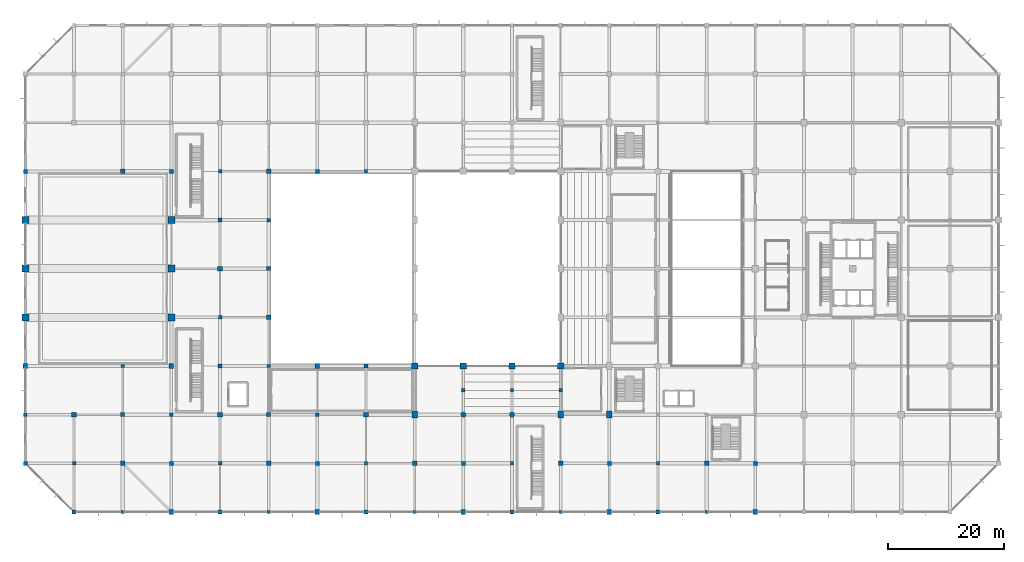
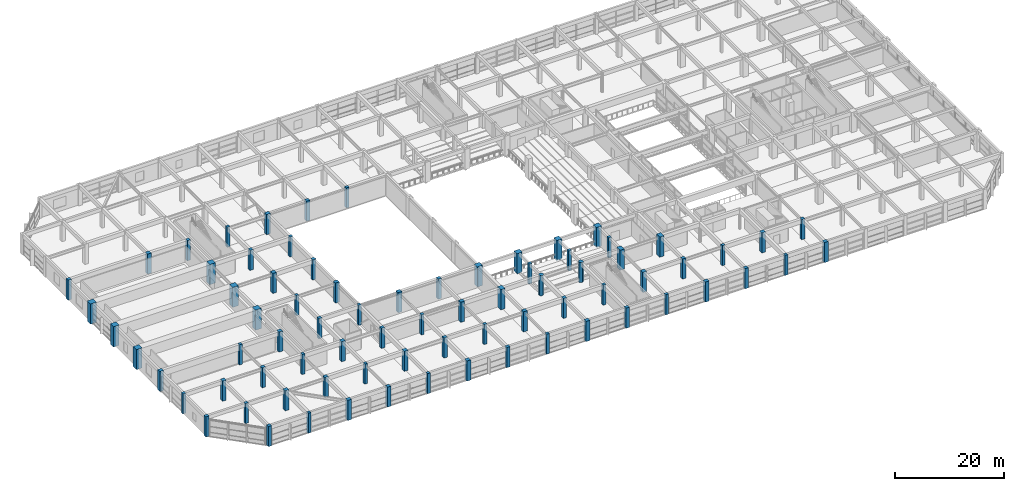
# One storey, part 1 of 62: 77 columns.
"""IFC4 building model written with IfcOpenShell, lengths in metres."""

from ifc_helpers import new_model, si_unit, direction, frame, origin, origin_2d, place, context, subcontext, project, spatial, rectangle, circle, extrude, material, material_profile, profile_set, type_object, element, save


model = new_model("IFC4")

# Units and contexts
model_context = context("Model", 3, precision=1e-05, world=origin(), true_north=direction((0.0, 1.0)))
body_context = subcontext(model_context, "Body", "Model", "MODEL_VIEW")
ifc_project = project(units=[si_unit("LENGTHUNIT", "METRE"), si_unit("AREAUNIT", "SQUARE_METRE"), si_unit("VOLUMEUNIT", "CUBIC_METRE"), si_unit("PLANEANGLEUNIT", "RADIAN"), si_unit("MASSUNIT", "GRAM", prefix="KILO")], contexts=[model_context])

# Site, building, storey
site_placement = place(None, origin())
site = spatial("IfcSite", under=ifc_project, at=site_placement, CompositionType="ELEMENT")
building_placement = place(site_placement, origin())
building = spatial("IfcBuilding", under=site, at=building_placement, Name="Xuanlan Plaza Opera House", CompositionType="ELEMENT")
storey_placement = place(building_placement, frame((0.0, 0.0, 14.39990234375)))
storey = spatial("IfcBuildingStorey", under=building, at=storey_placement, Name="L03", CompositionType="ELEMENT", Elevation=14.39990234375)

# Columns
ifc_material_1 = material(Name="Concrete C60", Category="concrete")
ifc_material_profile_1 = material_profile(ifc_material_1, rectangle(XDim=1.199951171875, YDim=1.199951171875, at=origin_2d()), Name="RC-COL 1200x1200")
ifc_profile_set_1 = profile_set([ifc_material_profile_1], Name="Concrete C60")
column_type_1 = type_object("IfcColumnType", Name="STR-COL-C-02", PredefinedType="COLUMN", material=ifc_profile_set_1)
for number, where, z_axis, x_axis, name in (
    (1, (0.0, 50.39990234375, 0.0), (0.0, 0.0, 1.0), (1.0, 0.0, 0.0), "Column L03 1-G"),
    (2, (0.0, 58.800048828125, 0.0), (0.0, 0.0, 1.0), (1.0, 0.0, 0.0), "Column L03 1-H"),
    (3, (0.0, 67.199951171875, 0.0), (0.0, 0.0, 1.0), (1.0, 0.0, 0.0), "Column L03 1-I"),
    (4, (25.199951171875, 50.39990234375, 0.0), (0.0, 0.0, 1.0), (1.0, 0.0, 0.0), "Column L03 4-G"),
    (5, (25.199951171875, 58.800048828125, 0.0), (0.0, 0.0, 1.0), (1.0, 0.0, 0.0), "Column L03 4-H"),
    (6, (25.199951171875, 67.199951171875, 0.0), (0.0, 0.0, 1.0), (1.0, 0.0, 0.0), "Column L03 4-I"),
):
    element("IfcColumn", number, at=place(storey_placement, frame(where, z_axis=z_axis, x_axis=x_axis)), inside=storey, type_object=column_type_1, Name=name, PredefinedType="COLUMN", context=body_context, shape_type="SweptSolid", body=[
        extrude(rectangle(XDim=1.199951171875, YDim=1.199951171875, at=origin_2d()), origin(), (0.0, 0.0, 1.0), 4.5),
    ])
ifc_material_2 = material(Name="Concrete C50", Category="concrete")
ifc_material_profile_2 = material_profile(ifc_material_2, rectangle(XDim=1.10009765625, YDim=1.10009765625, at=origin_2d()), Name="RC-COL 1100x1100")
ifc_profile_set_2 = profile_set([ifc_material_profile_2], Name="Concrete C50")
column_type_2 = type_object("IfcColumnType", Name="STR-COL-C-03", PredefinedType="COLUMN", material=ifc_profile_set_2)
for number, where, z_axis, x_axis, name in (
    (7, (67.199951171875, 42.0, 0.0), (0.0, 0.0, 1.0), (1.0, 0.0, 0.0), "Column L03 9-F"),
    (8, (75.60009765625, 42.0, 0.0), (0.0, 0.0, 1.0), (1.0, 0.0, 0.0), "Column L03 10-F"),
    (9, (84.0, 42.0, 0.0), (0.0, 0.0, 1.0), (1.0, 0.0, 0.0), "Column L03 11-F"),
    (10, (92.39990234375, 42.0, 0.0), (0.0, 0.0, 1.0), (1.0, 0.0, 0.0), "Column L03 12-F"),
):
    element("IfcColumn", number, at=place(storey_placement, frame(where, z_axis=z_axis, x_axis=x_axis)), inside=storey, type_object=column_type_2, Name=name, PredefinedType="COLUMN", context=body_context, shape_type="SweptSolid", body=[
        extrude(rectangle(XDim=1.10009765625, YDim=1.10009765625, at=origin_2d()), origin(), (0.0, 0.0, 1.0), 4.5),
    ])
ifc_material_3 = material(Name="Concrete C40", Category="concrete")
ifc_material_profile_3 = material_profile(ifc_material_3, rectangle(XDim=0.800048828125, YDim=0.800048828125, at=origin_2d()), Name="RC-COL 800x800")
ifc_profile_set_3 = profile_set([ifc_material_profile_3], Name="Concrete C40")
column_type_3 = type_object("IfcColumnType", Name="STR-COL-C-06", PredefinedType="COLUMN", material=ifc_profile_set_3)
for number, where, z_axis, x_axis, name in (
    (11, (0.0, 42.0, 0.0), (0.0, 0.0, 1.0), (1.0, 0.0, 0.0), "Column L03 1-F"),
    (12, (8.39990234375, 33.60009765625, 0.0), (0.0, 0.0, 1.0), (1.0, 0.0, 0.0), "Column L03 2-E"),
    (13, (16.800048828125, 25.199951171875, 0.0), (0.0, 0.0, 1.0), (1.0, 0.0, 0.0), "Column L03 3-D"),
    (14, (16.800048828125, 75.60009765625, 0.0), (0.0, 0.0, 1.0), (1.0, 0.0, 0.0), "Column L03 3-J"),
    (15, (25.199951171875, 16.800048828125, 0.0), (0.0, 0.0, 1.0), (1.0, 0.0, 0.0), "Column L03 4-C"),
    (16, (25.199951171875, 42.0, 0.0), (0.0, 0.0, 1.0), (1.0, 0.0, 0.0), "Column L03 4-F"),
    (17, (33.60009765625, 33.60009765625, 0.0), (0.0, 0.0, 1.0), (1.0, 0.0, 0.0), "Column L03 5-E"),
    (18, (33.60009765625, 58.800048828125, 0.0), (0.0, 0.0, 1.0), (1.0, 0.0, 0.0), "Column L03 5-H"),
    (19, (42.0, 25.199951171875, 0.0), (0.0, 0.0, 1.0), (1.0, 0.0, 0.0), "Column L03 6-D"),
    (20, (42.0, 50.39990234375, 0.0), (0.0, 0.0, 1.0), (1.0, 0.0, 0.0), "Column L03 6-G"),
    (21, (42.0, 75.60009765625, 0.0), (0.0, 0.0, 1.0), (1.0, 0.0, 0.0), "Column L03 6-J"),
    (22, (50.39990234375, 16.800048828125, 0.0), (0.0, 0.0, 1.0), (1.0, 0.0, 0.0), "Column L03 7-C"),
    (23, (50.39990234375, 42.0, 0.0), (0.0, 0.0, 1.0), (1.0, 0.0, 0.0), "Column L03 7-F"),
    (24, (58.800048828125, 33.60009765625, 0.0), (0.0, 0.0, 1.0), (1.0, 0.0, 0.0), "Column L03 8-E"),
    (25, (67.199951171875, 25.199951171875, 0.0), (0.0, 0.0, 1.0), (1.0, 0.0, 0.0), "Column L03 9-D"),
    (26, (75.60009765625, 16.800048828125, 0.0), (0.0, 0.0, 1.0), (1.0, 0.0, 0.0), "Column L03 10-C"),
    (27, (92.39990234375, 25.199951171875, 0.0), (0.0, 0.0, 1.0), (1.0, 0.0, 0.0), "Column L03 12-D"),
    (28, (100.800048828125, 16.800048828125, 0.0), (0.0, 0.0, 1.0), (1.0, 0.0, 0.0), "Column L03 13-C"),
    (29, (117.60009765625, 25.199951171875, 0.0), (0.0, 0.0, 1.0), (1.0, 0.0, 0.0), "Column L03 15-D"),
    (30, (126.0, 16.800048828125, 0.0), (0.0, 0.0, 1.0), (1.0, 0.0, 0.0), "Column L03 16-C"),
):
    element("IfcColumn", number, at=place(storey_placement, frame(where, z_axis=z_axis, x_axis=x_axis)), inside=storey, type_object=column_type_3, Name=name, PredefinedType="COLUMN", context=body_context, shape_type="SweptSolid", body=[
        extrude(rectangle(XDim=0.800048828125, YDim=0.800048828125, at=origin_2d()), origin(), (0.0, 0.0, 1.0), 4.5),
    ])
ifc_material_profile_4 = material_profile(ifc_material_3, rectangle(XDim=0.699951171875, YDim=0.699951171875, at=origin_2d()), Name="RC-COL 700x700")
ifc_profile_set_4 = profile_set([ifc_material_profile_4], Name="Concrete C40")
column_type_4 = type_object("IfcColumnType", Name="STR-COL-C-07", PredefinedType="COLUMN", material=ifc_profile_set_4)
for number, where, z_axis, x_axis, name in (
    (31, (0.0, 25.199951171875, 0.0), (0.0, 0.0, 1.0), (1.0, 0.0, 0.0), "Column L03 1-D"),
    (32, (0.0, 75.60009765625, 0.0), (0.0, 0.0, 1.0), (1.0, 0.0, 0.0), "Column L03 1-J"),
    (33, (8.39990234375, 16.800048828125, 0.0), (0.0, 0.0, 1.0), (1.0, 0.0, 0.0), "Column L03 2-C"),
    (34, (16.800048828125, 33.60009765625, 0.0), (0.0, 0.0, 1.0), (1.0, 0.0, 0.0), "Column L03 3-E"),
    (35, (25.199951171875, 25.199951171875, 0.0), (0.0, 0.0, 1.0), (1.0, 0.0, 0.0), "Column L03 4-D"),
    (36, (25.199951171875, 75.60009765625, 0.0), (0.0, 0.0, 1.0), (1.0, 0.0, 0.0), "Column L03 4-J"),
    (37, (33.60009765625, 16.800048828125, 0.0), (0.0, 0.0, 1.0), (1.0, 0.0, 0.0), "Column L03 5-C"),
    (38, (33.60009765625, 42.0, 0.0), (0.0, 0.0, 1.0), (1.0, 0.0, 0.0), "Column L03 5-F"),
    (39, (33.60009765625, 67.199951171875, 0.0), (0.0, 0.0, 1.0), (1.0, 0.0, 0.0), "Column L03 5-I"),
    (40, (42.0, 33.60009765625, 0.0), (0.0, 0.0, 1.0), (1.0, 0.0, 0.0), "Column L03 6-E"),
    (41, (42.0, 58.800048828125, 0.0), (0.0, 0.0, 1.0), (1.0, 0.0, 0.0), "Column L03 6-H"),
    (42, (50.39990234375, 25.199951171875, 0.0), (0.0, 0.0, 1.0), (1.0, 0.0, 0.0), "Column L03 7-D"),
    (43, (50.39990234375, 75.60009765625, 0.0), (0.0, 0.0, 1.0), (1.0, 0.0, 0.0), "Column L03 7-J"),
    (44, (58.800048828125, 16.800048828125, 0.0), (0.0, 0.0, 1.0), (1.0, 0.0, 0.0), "Column L03 8-C"),
    (45, (58.800048828125, 42.0, 0.0), (0.0, 0.0, 1.0), (1.0, 0.0, 0.0), "Column L03 8-F"),
    (46, (75.60009765625, 25.199951171875, 0.0), (0.0, 0.0, 1.0), (1.0, 0.0, 0.0), "Column L03 10-D"),
    (47, (84.0, 16.800048828125, 0.0), (0.0, 0.0, 1.0), (1.0, 0.0, 0.0), "Column L03 11-C"),
    (48, (100.800048828125, 25.199951171875, 0.0), (0.0, 0.0, 1.0), (1.0, 0.0, 0.0), "Column L03 13-D"),
    (49, (109.199951171875, 16.800048828125, 0.0), (0.0, 0.0, 1.0), (1.0, 0.0, 0.0), "Column L03 14-C"),
    (50, (126.0, 25.199951171875, 0.0), (0.0, 0.0, 1.0), (1.0, 0.0, 0.0), "Column L03 16-D"),
):
    element("IfcColumn", number, at=place(storey_placement, frame(where, z_axis=z_axis, x_axis=x_axis)), inside=storey, type_object=column_type_4, Name=name, PredefinedType="COLUMN", context=body_context, shape_type="SweptSolid", body=[
        extrude(rectangle(XDim=0.699951171875, YDim=0.699951171875, at=origin_2d()), origin(), (0.0, 0.0, 1.0), 4.5),
    ])
ifc_material_profile_5 = material_profile(ifc_material_3, rectangle(XDim=0.60009765625, YDim=0.60009765625, at=origin_2d()), Name="RC-COL 600x600")
ifc_profile_set_5 = profile_set([ifc_material_profile_5], Name="Concrete C40")
column_type_5 = type_object("IfcColumnType", Name="STR-COL-C-08", PredefinedType="COLUMN", material=ifc_profile_set_5)
for number, where, z_axis, x_axis, name in (
    (51, (0.0, 33.60009765625, 0.0), (0.0, 0.0, 1.0), (1.0, 0.0, 0.0), "Column L03 1-E"),
    (52, (8.39990234375, 25.199951171875, 0.0), (0.0, 0.0, 1.0), (1.0, 0.0, 0.0), "Column L03 2-D"),
    (53, (16.800048828125, 16.800048828125, 0.0), (0.0, 0.0, 1.0), (1.0, 0.0, 0.0), "Column L03 3-C"),
    (54, (16.800048828125, 42.0, 0.0), (0.0, 0.0, 1.0), (1.0, 0.0, 0.0), "Column L03 3-F"),
    (55, (25.199951171875, 33.60009765625, 0.0), (0.0, 0.0, 1.0), (1.0, 0.0, 0.0), "Column L03 4-E"),
    (56, (33.60009765625, 25.199951171875, 0.0), (0.0, 0.0, 1.0), (1.0, 0.0, 0.0), "Column L03 5-D"),
    (57, (33.60009765625, 50.39990234375, 0.0), (0.0, 0.0, 1.0), (1.0, 0.0, 0.0), "Column L03 5-G"),
    (58, (33.60009765625, 75.60009765625, 0.0), (0.0, 0.0, 1.0), (1.0, 0.0, 0.0), "Column L03 5-J"),
    (59, (42.0, 16.800048828125, 0.0), (0.0, 0.0, 1.0), (1.0, 0.0, 0.0), "Column L03 6-C"),
    (60, (42.0, 42.0, 0.0), (0.0, 0.0, 1.0), (1.0, 0.0, 0.0), "Column L03 6-F"),
    (61, (42.0, 67.199951171875, 0.0), (0.0, 0.0, 1.0), (1.0, 0.0, 0.0), "Column L03 6-I"),
    (62, (50.39990234375, 33.60009765625, 0.0), (0.0, 0.0, 1.0), (1.0, 0.0, 0.0), "Column L03 7-E"),
    (63, (58.800048828125, 25.199951171875, 0.0), (0.0, 0.0, 1.0), (1.0, 0.0, 0.0), "Column L03 8-D"),
    (64, (58.800048828125, 75.60009765625, 0.0), (0.0, 0.0, 1.0), (1.0, 0.0, 0.0), "Column L03 8-J"),
    (65, (67.199951171875, 16.800048828125, 0.0), (0.0, 0.0, 1.0), (1.0, 0.0, 0.0), "Column L03 9-C"),
    (66, (84.0, 25.199951171875, 0.0), (0.0, 0.0, 1.0), (1.0, 0.0, 0.0), "Column L03 11-D"),
    (67, (92.39990234375, 16.800048828125, 0.0), (0.0, 0.0, 1.0), (1.0, 0.0, 0.0), "Column L03 12-C"),
    (68, (109.199951171875, 25.199951171875, 0.0), (0.0, 0.0, 1.0), (1.0, 0.0, 0.0), "Column L03 14-D"),
    (69, (117.60009765625, 16.800048828125, 0.0), (0.0, 0.0, 1.0), (1.0, 0.0, 0.0), "Column L03 15-C"),
    (70, (75.60009765625, 37.800048828125, 0.0), (0.0, 0.0, 1.0), (1.0, 0.0, 0.0), "Side Tier Support Column L03 S X75"),
    (71, (84.0, 37.800048828125, 0.0), (0.0, 0.0, 1.0), (1.0, 0.0, 0.0), "Side Tier Support Column L03 S X84"),
    (72, (92.39990234375, 37.800048828125, 0.0), (0.0, 0.0, 1.0), (1.0, 0.0, 0.0), "Side Tier Support Column L03 S X92"),
):
    element("IfcColumn", number, at=place(storey_placement, frame(where, z_axis=z_axis, x_axis=x_axis)), inside=storey, type_object=column_type_5, Name=name, PredefinedType="COLUMN", context=body_context, shape_type="SweptSolid", body=[
        extrude(rectangle(XDim=0.60009765625, YDim=0.60009765625, at=origin_2d()), origin(), (0.0, 0.0, 1.0), 4.5),
    ])
ifc_material_profile_6 = material_profile(ifc_material_2, rectangle(XDim=0.89990234375, YDim=1.199951171875, at=origin_2d()), Name="RC-COL 900x1200")
ifc_profile_set_6 = profile_set([ifc_material_profile_6], Name="Concrete C50")
column_type_6 = type_object("IfcColumnType", Name="STR-COL-C-10", PredefinedType="COLUMN", material=ifc_profile_set_6)
for number, where, z_axis, x_axis, name in (
    (73, (67.199951171875, 33.60009765625, 0.0), (0.0, 0.0, 1.0), (1.0, 0.0, 0.0), "Column L03 9-E"),
    (74, (92.39990234375, 33.60009765625, 0.0), (0.0, 0.0, 1.0), (1.0, 0.0, 0.0), "Column L03 12-E"),
    (75, (100.800048828125, 33.60009765625, 0.0), (0.0, 0.0, 1.0), (1.0, 0.0, 0.0), "Column L03 13-E"),
):
    element("IfcColumn", number, at=place(storey_placement, frame(where, z_axis=z_axis, x_axis=x_axis)), inside=storey, type_object=column_type_6, Name=name, PredefinedType="COLUMN", context=body_context, shape_type="SweptSolid", body=[
        extrude(rectangle(XDim=0.89990234375, YDim=1.199951171875, at=origin_2d()), origin(), (0.0, 0.0, 1.0), 4.5),
    ])
ifc_material_profile_7 = material_profile(ifc_material_3, circle(Radius=0.449951171875, at=origin_2d()), Name="RC-COL D900")
ifc_profile_set_7 = profile_set([ifc_material_profile_7], Name="Concrete C40")
column_type_7 = type_object("IfcColumnType", Name="STR-COL-C-12", PredefinedType="COLUMN", material=ifc_profile_set_7)
for number, where, z_axis, x_axis, name in (
    (76, (75.60009765625, 33.60009765625, 0.0), (0.0, 0.0, 1.0), (1.0, 0.0, 0.0), "Column L03 10-E"),
    (77, (84.0, 33.60009765625, 0.0), (0.0, 0.0, 1.0), (1.0, 0.0, 0.0), "Column L03 11-E"),
):
    element("IfcColumn", number, at=place(storey_placement, frame(where, z_axis=z_axis, x_axis=x_axis)), inside=storey, type_object=column_type_7, Name=name, PredefinedType="COLUMN", context=body_context, shape_type="SweptSolid", body=[
        extrude(circle(Radius=0.449951171875, at=origin_2d()), origin(), (0.0, 0.0, 1.0), 4.5),
    ])

save(model, "model.ifc")
